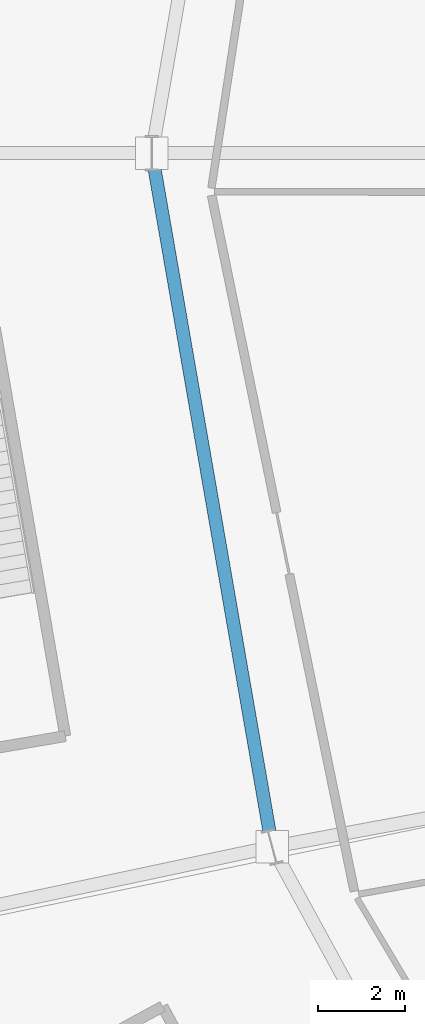
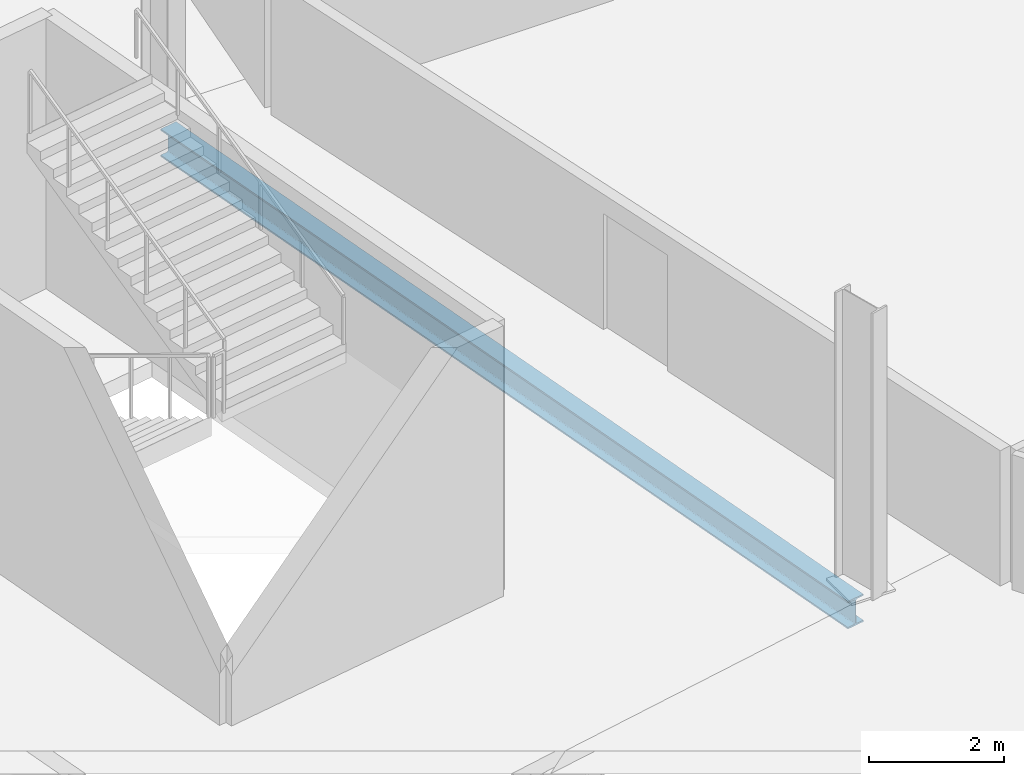
# One storey, part 36 of 168: 1 beam.
"""IFC4 building model written with IfcOpenShell, lengths in metres."""

from ifc_helpers import new_model, si_unit, direction, frame, origin, origin_2d, place, context, subcontext, project, spatial, i_section, extrude, material, material_profile, profile_set, type_object, element, save


model = new_model("IFC4")

# Units and contexts
model_context = context("Model", 3, precision=1e-05, world=origin(), true_north=direction((0.0, 1.0)))
body_context = subcontext(model_context, "Body", "Model", "MODEL_VIEW")
ifc_project = project(units=[si_unit("LENGTHUNIT", "METRE"), si_unit("AREAUNIT", "SQUARE_METRE"), si_unit("VOLUMEUNIT", "CUBIC_METRE"), si_unit("PLANEANGLEUNIT", "RADIAN"), si_unit("MASSUNIT", "GRAM", prefix="KILO")], contexts=[model_context])

# Site, building, storey
site_placement = place(None, origin())
site = spatial("IfcSite", under=ifc_project, at=site_placement, CompositionType="ELEMENT")
building_placement = place(site_placement, origin())
building = spatial("IfcBuilding", under=site, at=building_placement, Name="Zlatoyarsky Gate Stadium", CompositionType="ELEMENT")
storey_placement = place(building_placement, frame((0.0, 0.0, 15.60009765625)))
storey = spatial("IfcBuildingStorey", under=building, at=storey_placement, Name="L03", CompositionType="ELEMENT", Elevation=15.60009765625)

# Beam
ifc_material = material(Name="Steel S355", Category="steel")
ifc_material_profile = material_profile(ifc_material, i_section(OverallWidth=0.300048828125, OverallDepth=0.5, WebThickness=0.014404296875, FlangeThickness=0.028076171875, FilletRadius=0.027099609375, at=origin_2d()), Name="HEB 500")
ifc_profile_set = profile_set([ifc_material_profile], Name="Steel S355")
beam_type = type_object("IfcBeamType", Name="STEEL PRIMARY GIRDER HEB 500", PredefinedType="BEAM", material=ifc_profile_set)
beam_placement = place(storey_placement, frame((30.0205078125, 79.8818359375, -0.530029296875), z_axis=(0.170843315562, -0.985298209441, 0.0), x_axis=(0.985298209441, 0.170843315562, 0.0)))
element("IfcBeam", 1, at=beam_placement, inside=storey, type_object=beam_type, Name="Beam G-HEB500 BM-L03-CRB-12", PredefinedType="BEAM", context=body_context, shape_type="SweptSolid", body=[
    extrude(i_section(OverallWidth=0.300048828125, OverallDepth=0.5, WebThickness=0.014404296875, FlangeThickness=0.028076171875, FilletRadius=0.027099609375, at=origin_2d()), origin(), (0.0, 0.0, 1.0), 15.9150390625),
])

save(model, "model.ifc")
